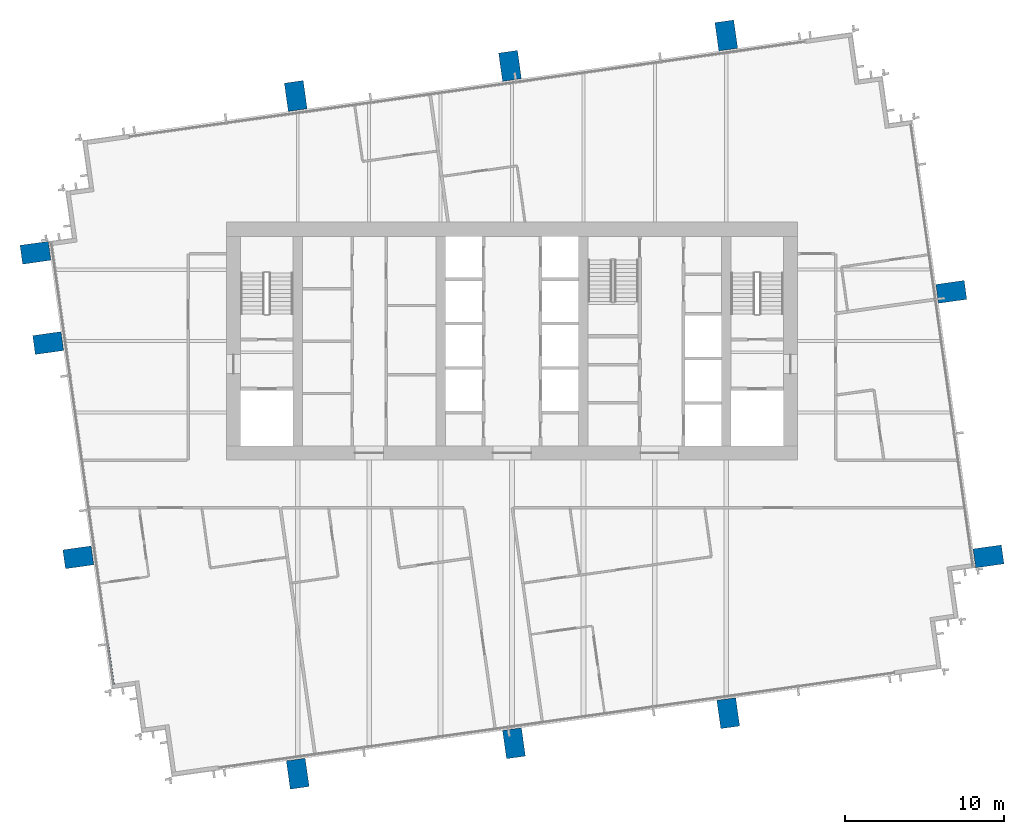
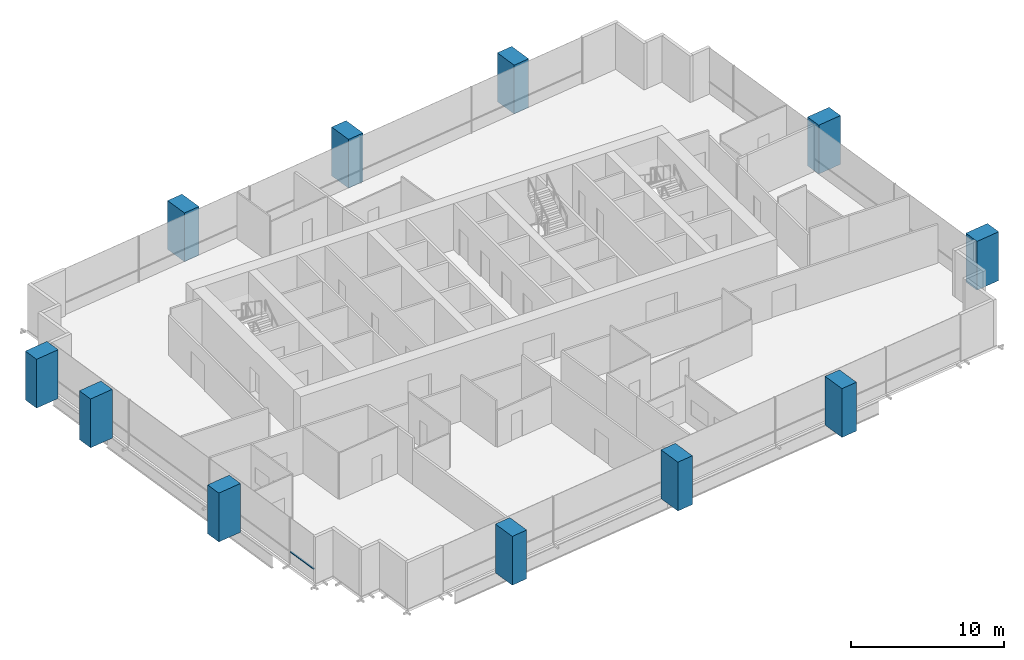
# One storey, part 1 of 14: 11 columns, 1 member, 1 element without a shape of its own.
"""IFC4 building model written with IfcOpenShell, lengths in metres."""

from ifc_helpers import new_model, si_unit, direction, frame, origin, origin_2d, place, context, subcontext, project, spatial, rectangle, extrude, material, material_profile, profile_set, type_object, element, aggregate, save


model = new_model("IFC4")

# Units and contexts
model_context = context("Model", 3, precision=1e-05, world=origin(), true_north=direction((0.0, 1.0)))
body_context = subcontext(model_context, "Body", "Model", "MODEL_VIEW")
ifc_project = project(units=[si_unit("LENGTHUNIT", "METRE"), si_unit("AREAUNIT", "SQUARE_METRE"), si_unit("VOLUMEUNIT", "CUBIC_METRE"), si_unit("PLANEANGLEUNIT", "RADIAN"), si_unit("MASSUNIT", "GRAM", prefix="KILO")], contexts=[model_context])

# Site, building, storey
site_placement = place(None, origin())
site = spatial("IfcSite", under=ifc_project, at=site_placement, CompositionType="ELEMENT")
building_placement = place(site_placement, origin())
building = spatial("IfcBuilding", under=site, at=building_placement, Name="Rattan Terrace Tower", CompositionType="ELEMENT")
storey_placement = place(building_placement, frame((0.0, 0.0, 172.39990234375)))
storey = spatial("IfcBuildingStorey", under=building, at=storey_placement, Name="L39", CompositionType="ELEMENT", Elevation=172.39990234375)

# Columns
ifc_material_1 = material(Name="Concrete C50/60", Category="concrete")
ifc_material_profile_1 = material_profile(ifc_material_1, rectangle(XDim=1.199951171875, YDim=1.800048828125, at=origin_2d()), Name="CFT 1800x1200")
ifc_profile_set_1 = profile_set([ifc_material_profile_1], Name="Concrete C50/60")
column_type = type_object("IfcColumnType", Name="Frame exoskeleton column CFT 1800x1200", PredefinedType="COLUMN", material=ifc_profile_set_1)
for number, where, z_axis, x_axis, name in (
    (1, (-13.5, -27.256103515625, -0.199951171875), (0.0, 0.0, 1.0), (0.99027049762, 0.139155817501, 0.0), "exo-L39-001"),
    (2, (0.125, -25.340087890625, -0.199951171875), (0.0, 0.0, 1.0), (0.99027049762, 0.139155817501, 0.0), "exo-L39-002"),
    (3, (13.625, -23.443115234375, -0.199951171875), (0.0, 0.0, 1.0), (0.99027049762, 0.139155817501, 0.0), "exo-L39-003"),
    (4, (-27.325927734375, -13.625, -0.199951171875), (0.0, 0.0, 1.0), (-0.139190384377, 0.990265639562, 0.0), "exo-L39-004"),
    (5, (30.02392578125, -13.56494140625, -0.199951171875), (0.0, 0.0, 1.0), (-0.139190384377, 0.990265639562, 0.0), "exo-L39-005"),
    (6, (-29.22412109375, -0.125, -0.199951171875), (0.0, 0.0, 1.0), (-0.139190384377, 0.990265639562, 0.0), "exo-L39-006"),
    (7, (27.680908203125, 3.10009765625, -0.199951171875), (0.0, 0.0, 1.0), (-0.139190384377, 0.990265639562, 0.0), "exo-L39-007"),
    (8, (-30.02392578125, 5.56494140625, -0.199951171875), (0.0, 0.0, 1.0), (-0.139190384377, 0.990265639562, 0.0), "exo-L39-008"),
    (9, (-13.625, 15.443115234375, -0.199951171875), (0.0, 0.0, 1.0), (0.99027049762, 0.139155817501, 0.0), "exo-L39-009"),
    (10, (-0.125, 17.340087890625, -0.199951171875), (0.0, 0.0, 1.0), (0.99027049762, 0.139155817501, 0.0), "exo-L39-010"),
    (11, (13.5, 19.256103515625, -0.199951171875), (0.0, 0.0, 1.0), (0.99027049762, 0.139155817501, 0.0), "exo-L39-011"),
):
    element("IfcColumn", number, at=place(storey_placement, frame(where, z_axis=z_axis, x_axis=x_axis)), inside=storey, type_object=column_type, Name=name, PredefinedType="COLUMN", context=body_context, shape_type="SweptSolid", body=[
        extrude(rectangle(XDim=1.199951171875, YDim=1.800048828125, at=origin_2d()), origin(), (0.0, 0.0, 1.0), 3.900146484375),
    ])

# Curtain wall, member
ifc_material_2 = material(Name="Aluminium and glass", Category="aluminium")
curtain_wall_type = type_object("IfcCurtainWallType", Name="Facade Unitised Curtain Wall", PredefinedType="NOTDEFINED", material=ifc_material_2)
curtain_wall_placement = place(storey_placement, origin())
curtain_wall = element("IfcCurtainWall", 12, at=curtain_wall_placement, inside=storey, type_object=curtain_wall_type, Name="Curtain wall L39-3", PredefinedType="NOTDEFINED")
ifc_material_3 = material(Name="Aluminium", Category="aluminium")
ifc_material_profile_2 = material_profile(ifc_material_3, rectangle(XDim=0.1201171875, YDim=0.06005859375, at=origin_2d()), Name="Aluminium 120x60")
ifc_profile_set_2 = profile_set([ifc_material_profile_2], Name="Aluminium")
member_type = type_object("IfcMemberType", Name="Facade CW Transom 120x60", PredefinedType="USERDEFINED", material=ifc_profile_set_2)
member_placement = place(storey_placement, frame((-25.47314453125, -19.122314453125, 1.0), z_axis=(0.139106713562, -0.990277396613, 0.0), x_axis=(0.990277396613, 0.139106713562, 0.0)))
member = element("IfcMember", 13, at=member_placement, type_object=member_type, Name="Transom cwl-L39-003.4", ObjectType="TRANSOM", PredefinedType="USERDEFINED", context=body_context, shape_type="SweptSolid", body=[
    extrude(rectangle(XDim=0.1201171875, YDim=0.06005859375, at=origin_2d()), origin(), (0.0, 0.0, 1.0), 2.525634765625),
])
aggregate(curtain_wall, [member])

save(model, "model.ifc")
